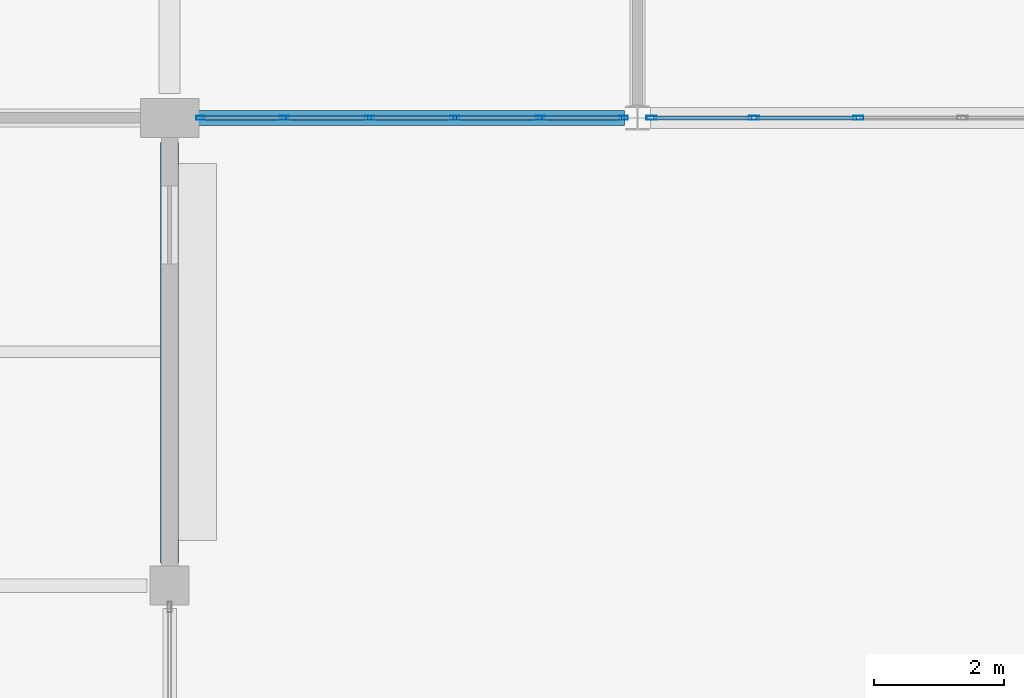
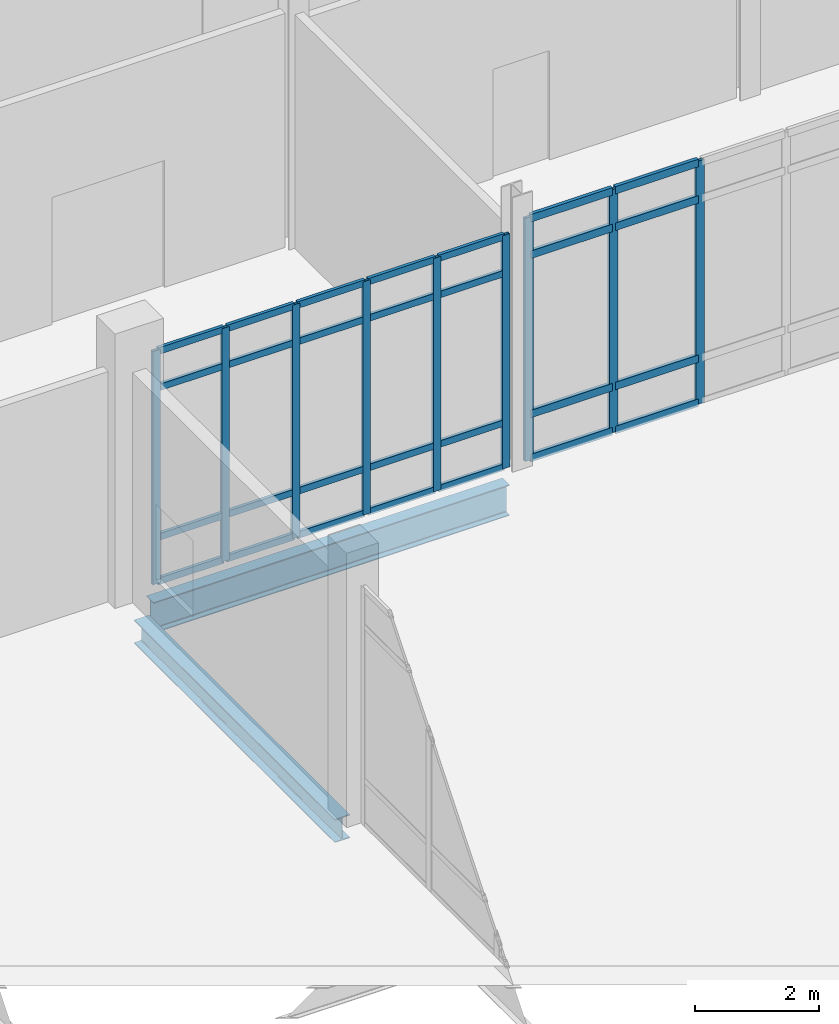
# One storey, part 84 of 229: 37 members, 2 beams, 2 elements without a shape of their own.
"""IFC4 building model written with IfcOpenShell, lengths in metres."""

from ifc_helpers import new_model, si_unit, direction, frame, origin, origin_2d, place, context, subcontext, project, spatial, hollow_rectangle, i_section, extrude, material, layer, layer_set, material_profile, profile_set, type_object, element, aggregate, save


model = new_model("IFC4")

# Units and contexts
model_context = context("Model", 3, precision=1e-05, world=origin(), true_north=direction((0.0, 1.0)))
body_context = subcontext(model_context, "Body", "Model", "MODEL_VIEW")
ifc_project = project(units=[si_unit("LENGTHUNIT", "METRE"), si_unit("AREAUNIT", "SQUARE_METRE"), si_unit("VOLUMEUNIT", "CUBIC_METRE"), si_unit("PLANEANGLEUNIT", "RADIAN"), si_unit("MASSUNIT", "GRAM", prefix="KILO")], contexts=[model_context])

# Site, building, storey
site_placement = place(None, origin())
site = spatial("IfcSite", under=ifc_project, at=site_placement, CompositionType="ELEMENT")
building_placement = place(site_placement, origin())
building = spatial("IfcBuilding", under=site, at=building_placement, Name="Calvrana Isthmian Art Gallery", CompositionType="ELEMENT")
storey_placement = place(building_placement, origin())
storey = spatial("IfcBuildingStorey", under=building, at=storey_placement, Name="L00", CompositionType="ELEMENT", Elevation=0.0)

# Beams
ifc_material_1 = material(Name="Steel ASTM A992 Gr 50", Category="steel")
ifc_material_profile_1 = material_profile(ifc_material_1, i_section(OverallWidth=0.279052734375, OverallDepth=0.4619140625, WebThickness=0.0107421875, FlangeThickness=0.017333984375, FilletRadius=0.02001953125, at=origin_2d()), Name="W18X76")
ifc_profile_set_1 = profile_set([ifc_material_profile_1], Name="Steel ASTM A992 Gr 50")
beam_type_1 = type_object("IfcBeamType", Name="BM-G-W18X76", PredefinedType="BEAM", material=ifc_profile_set_1)
beam_1_placement = place(storey_placement, frame((14.39990234375, 91.550048828125, -0.51611328125), z_axis=(0.0, 1.0, 0.0), x_axis=(-1.0, 0.0, 0.0)))
element("IfcBeam", 1, at=beam_1_placement, inside=storey, type_object=beam_type_1, Name="Girder Y L00 03/M-N", PredefinedType="BEAM", context=body_context, shape_type="SweptSolid", body=[
    extrude(i_section(OverallWidth=0.279052734375, OverallDepth=0.4619140625, WebThickness=0.0107421875, FlangeThickness=0.017333984375, FilletRadius=0.02001953125, at=origin_2d()), origin(), (0.0, 0.0, 1.0), 6.474853515625),
])
ifc_material_profile_2 = material_profile(ifc_material_1, i_section(OverallWidth=0.22802734375, OverallDepth=0.60693359375, WebThickness=0.01123046875, FlangeThickness=0.017333984375, FilletRadius=0.02197265625, at=origin_2d()), Name="W24X76")
ifc_profile_set_2 = profile_set([ifc_material_profile_2], Name="Steel ASTM A992 Gr 50")
beam_type_2 = type_object("IfcBeamType", Name="BM-G-W24X76", PredefinedType="BEAM", material=ifc_profile_set_2)
beam_2_placement = place(storey_placement, frame((14.77490234375, 98.39990234375, -0.58837890625), z_axis=(1.0, 0.0, 0.0), x_axis=(0.0, 1.0, 0.0)))
element("IfcBeam", 2, at=beam_2_placement, inside=storey, type_object=beam_type_2, Name="Girder X L00 03-04/N", PredefinedType="BEAM", context=body_context, shape_type="SweptSolid", body=[
    extrude(i_section(OverallWidth=0.22802734375, OverallDepth=0.60693359375, WebThickness=0.01123046875, FlangeThickness=0.017333984375, FilletRadius=0.02197265625, at=origin_2d()), origin(), (0.0, 0.0, 1.0), 6.627197265625),
])

# Curtain wall, members
ifc_material_2 = material(Name="Anodized bronze aluminium 6063-T6", Category="aluminium")
ifc_layer_1 = layer(ifc_material_2, 0.179931640625, Name="Anodized bronze aluminium 6063-T6")
ifc_layer_set_1 = layer_set([ifc_layer_1], Name="Anodized bronze aluminium 6063-T6")
curtain_wall_type_1 = type_object("IfcCurtainWallType", Name="CW-UNIT-066X46", PredefinedType="USERDEFINED", material=ifc_layer_set_1)
curtain_wall_1_placement = place(storey_placement, origin())
curtain_wall_1 = element("IfcCurtainWall", 3, at=curtain_wall_1_placement, inside=storey, type_object=curtain_wall_type_1, Name="Curtain wall CW-036", ObjectType="UNITISED CURTAIN WALL", PredefinedType="USERDEFINED")
ifc_material_profile_3 = material_profile(ifc_material_2, hollow_rectangle(XDim=0.06005859375, YDim=0.139892578125, WallThickness=0.00390625, at=origin_2d()), Name="CWM60X140")
ifc_profile_set_3 = profile_set([ifc_material_profile_3], Name="Anodized bronze aluminium 6063-T6")
member_type_1 = type_object("IfcMemberType", Name="CWM-CWM60X140", PredefinedType="MULLION", material=ifc_profile_set_3)
member_1_placement = place(storey_placement, frame((21.383544921875, 98.39990234375, 0.0), z_axis=(0.0, 0.0, 1.0), x_axis=(0.0, -1.0, 0.0)))
member_1 = element("IfcMember", 4, at=member_1_placement, type_object=member_type_1, Name="CW-036 mullion 1", PredefinedType="MULLION", context=body_context, shape_type="SweptSolid", body=[
    extrude(hollow_rectangle(XDim=0.06005859375, YDim=0.139892578125, WallThickness=0.00390625, at=origin_2d()), origin(), (0.0, 0.0, 1.0), 4.591064453125),
])
member_2_placement = place(storey_placement, frame((20.100830078125, 98.39990234375, 0.0), z_axis=(0.0, 0.0, 1.0), x_axis=(0.0, -1.0, 0.0)))
member_2 = element("IfcMember", 5, at=member_2_placement, type_object=member_type_1, Name="CW-036 mullion 2", PredefinedType="MULLION", context=body_context, shape_type="SweptSolid", body=[
    extrude(hollow_rectangle(XDim=0.06005859375, YDim=0.139892578125, WallThickness=0.00390625, at=origin_2d()), origin(), (0.0, 0.0, 1.0), 4.591064453125),
])
member_3_placement = place(storey_placement, frame((18.7880859375, 98.39990234375, 0.0), z_axis=(0.0, 0.0, 1.0), x_axis=(0.0, -1.0, 0.0)))
member_3 = element("IfcMember", 6, at=member_3_placement, type_object=member_type_1, Name="CW-036 mullion 3", PredefinedType="MULLION", context=body_context, shape_type="SweptSolid", body=[
    extrude(hollow_rectangle(XDim=0.06005859375, YDim=0.139892578125, WallThickness=0.00390625, at=origin_2d()), origin(), (0.0, 0.0, 1.0), 4.591064453125),
])
member_4_placement = place(storey_placement, frame((17.475341796875, 98.39990234375, 0.0), z_axis=(0.0, 0.0, 1.0), x_axis=(0.0, -1.0, 0.0)))
member_4 = element("IfcMember", 7, at=member_4_placement, type_object=member_type_1, Name="CW-036 mullion 4", PredefinedType="MULLION", context=body_context, shape_type="SweptSolid", body=[
    extrude(hollow_rectangle(XDim=0.06005859375, YDim=0.139892578125, WallThickness=0.00390625, at=origin_2d()), origin(), (0.0, 0.0, 1.0), 4.591064453125),
])
member_5_placement = place(storey_placement, frame((16.16259765625, 98.39990234375, 0.0), z_axis=(0.0, 0.0, 1.0), x_axis=(0.0, -1.0, 0.0)))
member_5 = element("IfcMember", 8, at=member_5_placement, type_object=member_type_1, Name="CW-036 mullion 5", PredefinedType="MULLION", context=body_context, shape_type="SweptSolid", body=[
    extrude(hollow_rectangle(XDim=0.06005859375, YDim=0.139892578125, WallThickness=0.00390625, at=origin_2d()), origin(), (0.0, 0.0, 1.0), 4.591064453125),
])
member_6_placement = place(storey_placement, frame((14.8798828125, 98.39990234375, 0.0), z_axis=(0.0, 0.0, 1.0), x_axis=(0.0, -1.0, 0.0)))
member_6 = element("IfcMember", 9, at=member_6_placement, type_object=member_type_1, Name="CW-036 mullion 6", PredefinedType="MULLION", context=body_context, shape_type="SweptSolid", body=[
    extrude(hollow_rectangle(XDim=0.06005859375, YDim=0.139892578125, WallThickness=0.00390625, at=origin_2d()), origin(), (0.0, 0.0, 1.0), 4.591064453125),
])

ifc_layer_2 = layer(ifc_material_2, 0.179931640625, Name="Anodized bronze aluminium 6063-T6")
ifc_layer_set_2 = layer_set([ifc_layer_2], Name="Anodized bronze aluminium 6063-T6")
curtain_wall_type_2 = type_object("IfcCurtainWallType", Name="CW-UNIT-080X48", PredefinedType="USERDEFINED", material=ifc_layer_set_2)
curtain_wall_2_placement = place(storey_placement, origin())
curtain_wall_2 = element("IfcCurtainWall", 10, at=curtain_wall_2_placement, inside=storey, type_object=curtain_wall_type_2, Name="Curtain wall CW-037", ObjectType="UNITISED CURTAIN WALL", PredefinedType="USERDEFINED")
ifc_material_profile_4 = material_profile(ifc_material_2, hollow_rectangle(XDim=0.06005859375, YDim=0.159912109375, WallThickness=0.00390625, at=origin_2d()), Name="CWM60X160")
ifc_profile_set_4 = profile_set([ifc_material_profile_4], Name="Anodized bronze aluminium 6063-T6")
member_type_2 = type_object("IfcMemberType", Name="CWM-CWM60X160", PredefinedType="MULLION", material=ifc_profile_set_4)
member_7_placement = place(storey_placement, frame((24.997314453125, 98.39990234375, 0.0), z_axis=(0.0, 0.0, 1.0), x_axis=(0.0, -1.0, 0.0)))
member_7 = element("IfcMember", 11, at=member_7_placement, type_object=member_type_2, Name="CW-037 mullion 4", PredefinedType="MULLION", context=body_context, shape_type="SweptSolid", body=[
    extrude(hollow_rectangle(XDim=0.06005859375, YDim=0.159912109375, WallThickness=0.00390625, at=origin_2d()), origin(), (0.0, 0.0, 1.0), 4.783935546875),
])
member_8_placement = place(storey_placement, frame((23.391845703125, 98.39990234375, 0.0), z_axis=(0.0, 0.0, 1.0), x_axis=(0.0, -1.0, 0.0)))
member_8 = element("IfcMember", 12, at=member_8_placement, type_object=member_type_2, Name="CW-037 mullion 5", PredefinedType="MULLION", context=body_context, shape_type="SweptSolid", body=[
    extrude(hollow_rectangle(XDim=0.06005859375, YDim=0.159912109375, WallThickness=0.00390625, at=origin_2d()), origin(), (0.0, 0.0, 1.0), 4.783935546875),
])
member_9_placement = place(storey_placement, frame((21.81640625, 98.39990234375, 0.0), z_axis=(0.0, 0.0, 1.0), x_axis=(0.0, -1.0, 0.0)))
member_9 = element("IfcMember", 13, at=member_9_placement, type_object=member_type_2, Name="CW-037 mullion 6", PredefinedType="MULLION", context=body_context, shape_type="SweptSolid", body=[
    extrude(hollow_rectangle(XDim=0.06005859375, YDim=0.159912109375, WallThickness=0.00390625, at=origin_2d()), origin(), (0.0, 0.0, 1.0), 4.783935546875),
])

# Member
ifc_material_profile_5 = material_profile(ifc_material_2, hollow_rectangle(XDim=0.06005859375, YDim=0.1298828125, WallThickness=0.00390625, at=origin_2d()), Name="CWT60X130")
ifc_profile_set_5 = profile_set([ifc_material_profile_5], Name="Anodized bronze aluminium 6063-T6")
member_type_3 = type_object("IfcMemberType", Name="CWT-CWT60X130", PredefinedType="USERDEFINED", material=ifc_profile_set_5)
member_10_placement = place(storey_placement, frame((21.353515625, 98.39990234375, 0.030029296875), z_axis=(-1.0, 0.0, 0.0), x_axis=(0.0, -1.0, 0.0)))
member_10 = element("IfcMember", 14, at=member_10_placement, type_object=member_type_3, Name="CW-036 transom 1.1", ObjectType="TRANSOM", PredefinedType="USERDEFINED", context=body_context, shape_type="SweptSolid", body=[
    extrude(hollow_rectangle(XDim=0.06005859375, YDim=0.1298828125, WallThickness=0.00390625, at=origin_2d()), origin(), (0.0, 0.0, 1.0), 1.22265625),
])

member_11_placement = place(storey_placement, frame((21.353515625, 98.39990234375, 0.89990234375), z_axis=(-1.0, 0.0, 0.0), x_axis=(0.0, -1.0, 0.0)))
member_11 = element("IfcMember", 15, at=member_11_placement, type_object=member_type_3, Name="CW-036 transom 1.2", ObjectType="TRANSOM", PredefinedType="USERDEFINED", context=body_context, shape_type="SweptSolid", body=[
    extrude(hollow_rectangle(XDim=0.06005859375, YDim=0.1298828125, WallThickness=0.00390625, at=origin_2d()), origin(), (0.0, 0.0, 1.0), 1.22265625),
])

member_12_placement = place(storey_placement, frame((21.353515625, 98.39990234375, 3.841064453125), z_axis=(-1.0, 0.0, 0.0), x_axis=(0.0, -1.0, 0.0)))
member_12 = element("IfcMember", 16, at=member_12_placement, type_object=member_type_3, Name="CW-036 transom 1.3", ObjectType="TRANSOM", PredefinedType="USERDEFINED", context=body_context, shape_type="SweptSolid", body=[
    extrude(hollow_rectangle(XDim=0.06005859375, YDim=0.1298828125, WallThickness=0.00390625, at=origin_2d()), origin(), (0.0, 0.0, 1.0), 1.22265625),
])

member_13_placement = place(storey_placement, frame((21.353515625, 98.39990234375, 4.56103515625), z_axis=(-1.0, 0.0, 0.0), x_axis=(0.0, -1.0, 0.0)))
member_13 = element("IfcMember", 17, at=member_13_placement, type_object=member_type_3, Name="CW-036 transom 1.4", ObjectType="TRANSOM", PredefinedType="USERDEFINED", context=body_context, shape_type="SweptSolid", body=[
    extrude(hollow_rectangle(XDim=0.06005859375, YDim=0.1298828125, WallThickness=0.00390625, at=origin_2d()), origin(), (0.0, 0.0, 1.0), 1.22265625),
])

member_14_placement = place(storey_placement, frame((20.07080078125, 98.39990234375, 0.030029296875), z_axis=(-1.0, 0.0, 0.0), x_axis=(0.0, -1.0, 0.0)))
member_14 = element("IfcMember", 18, at=member_14_placement, type_object=member_type_3, Name="CW-036 transom 2.1", ObjectType="TRANSOM", PredefinedType="USERDEFINED", context=body_context, shape_type="SweptSolid", body=[
    extrude(hollow_rectangle(XDim=0.06005859375, YDim=0.1298828125, WallThickness=0.00390625, at=origin_2d()), origin(), (0.0, 0.0, 1.0), 1.252685546875),
])

member_15_placement = place(storey_placement, frame((20.07080078125, 98.39990234375, 0.89990234375), z_axis=(-1.0, 0.0, 0.0), x_axis=(0.0, -1.0, 0.0)))
member_15 = element("IfcMember", 19, at=member_15_placement, type_object=member_type_3, Name="CW-036 transom 2.2", ObjectType="TRANSOM", PredefinedType="USERDEFINED", context=body_context, shape_type="SweptSolid", body=[
    extrude(hollow_rectangle(XDim=0.06005859375, YDim=0.1298828125, WallThickness=0.00390625, at=origin_2d()), origin(), (0.0, 0.0, 1.0), 1.252685546875),
])

member_16_placement = place(storey_placement, frame((20.07080078125, 98.39990234375, 3.841064453125), z_axis=(-1.0, 0.0, 0.0), x_axis=(0.0, -1.0, 0.0)))
member_16 = element("IfcMember", 20, at=member_16_placement, type_object=member_type_3, Name="CW-036 transom 2.3", ObjectType="TRANSOM", PredefinedType="USERDEFINED", context=body_context, shape_type="SweptSolid", body=[
    extrude(hollow_rectangle(XDim=0.06005859375, YDim=0.1298828125, WallThickness=0.00390625, at=origin_2d()), origin(), (0.0, 0.0, 1.0), 1.252685546875),
])

member_17_placement = place(storey_placement, frame((20.07080078125, 98.39990234375, 4.56103515625), z_axis=(-1.0, 0.0, 0.0), x_axis=(0.0, -1.0, 0.0)))
member_17 = element("IfcMember", 21, at=member_17_placement, type_object=member_type_3, Name="CW-036 transom 2.4", ObjectType="TRANSOM", PredefinedType="USERDEFINED", context=body_context, shape_type="SweptSolid", body=[
    extrude(hollow_rectangle(XDim=0.06005859375, YDim=0.1298828125, WallThickness=0.00390625, at=origin_2d()), origin(), (0.0, 0.0, 1.0), 1.252685546875),
])

member_18_placement = place(storey_placement, frame((18.758056640625, 98.39990234375, 0.030029296875), z_axis=(-1.0, 0.0, 0.0), x_axis=(0.0, -1.0, 0.0)))
member_18 = element("IfcMember", 22, at=member_18_placement, type_object=member_type_3, Name="CW-036 transom 3.1", ObjectType="TRANSOM", PredefinedType="USERDEFINED", context=body_context, shape_type="SweptSolid", body=[
    extrude(hollow_rectangle(XDim=0.06005859375, YDim=0.1298828125, WallThickness=0.00390625, at=origin_2d()), origin(), (0.0, 0.0, 1.0), 1.252685546875),
])

member_19_placement = place(storey_placement, frame((18.758056640625, 98.39990234375, 0.89990234375), z_axis=(-1.0, 0.0, 0.0), x_axis=(0.0, -1.0, 0.0)))
member_19 = element("IfcMember", 23, at=member_19_placement, type_object=member_type_3, Name="CW-036 transom 3.2", ObjectType="TRANSOM", PredefinedType="USERDEFINED", context=body_context, shape_type="SweptSolid", body=[
    extrude(hollow_rectangle(XDim=0.06005859375, YDim=0.1298828125, WallThickness=0.00390625, at=origin_2d()), origin(), (0.0, 0.0, 1.0), 1.252685546875),
])

member_20_placement = place(storey_placement, frame((18.758056640625, 98.39990234375, 3.841064453125), z_axis=(-1.0, 0.0, 0.0), x_axis=(0.0, -1.0, 0.0)))
member_20 = element("IfcMember", 24, at=member_20_placement, type_object=member_type_3, Name="CW-036 transom 3.3", ObjectType="TRANSOM", PredefinedType="USERDEFINED", context=body_context, shape_type="SweptSolid", body=[
    extrude(hollow_rectangle(XDim=0.06005859375, YDim=0.1298828125, WallThickness=0.00390625, at=origin_2d()), origin(), (0.0, 0.0, 1.0), 1.252685546875),
])

member_21_placement = place(storey_placement, frame((18.758056640625, 98.39990234375, 4.56103515625), z_axis=(-1.0, 0.0, 0.0), x_axis=(0.0, -1.0, 0.0)))
member_21 = element("IfcMember", 25, at=member_21_placement, type_object=member_type_3, Name="CW-036 transom 3.4", ObjectType="TRANSOM", PredefinedType="USERDEFINED", context=body_context, shape_type="SweptSolid", body=[
    extrude(hollow_rectangle(XDim=0.06005859375, YDim=0.1298828125, WallThickness=0.00390625, at=origin_2d()), origin(), (0.0, 0.0, 1.0), 1.252685546875),
])

member_22_placement = place(storey_placement, frame((17.4453125, 98.39990234375, 0.030029296875), z_axis=(-1.0, 0.0, 0.0), x_axis=(0.0, -1.0, 0.0)))
member_22 = element("IfcMember", 26, at=member_22_placement, type_object=member_type_3, Name="CW-036 transom 4.1", ObjectType="TRANSOM", PredefinedType="USERDEFINED", context=body_context, shape_type="SweptSolid", body=[
    extrude(hollow_rectangle(XDim=0.06005859375, YDim=0.1298828125, WallThickness=0.00390625, at=origin_2d()), origin(), (0.0, 0.0, 1.0), 1.252685546875),
])

member_23_placement = place(storey_placement, frame((17.4453125, 98.39990234375, 0.89990234375), z_axis=(-1.0, 0.0, 0.0), x_axis=(0.0, -1.0, 0.0)))
member_23 = element("IfcMember", 27, at=member_23_placement, type_object=member_type_3, Name="CW-036 transom 4.2", ObjectType="TRANSOM", PredefinedType="USERDEFINED", context=body_context, shape_type="SweptSolid", body=[
    extrude(hollow_rectangle(XDim=0.06005859375, YDim=0.1298828125, WallThickness=0.00390625, at=origin_2d()), origin(), (0.0, 0.0, 1.0), 1.252685546875),
])

member_24_placement = place(storey_placement, frame((17.4453125, 98.39990234375, 3.841064453125), z_axis=(-1.0, 0.0, 0.0), x_axis=(0.0, -1.0, 0.0)))
member_24 = element("IfcMember", 28, at=member_24_placement, type_object=member_type_3, Name="CW-036 transom 4.3", ObjectType="TRANSOM", PredefinedType="USERDEFINED", context=body_context, shape_type="SweptSolid", body=[
    extrude(hollow_rectangle(XDim=0.06005859375, YDim=0.1298828125, WallThickness=0.00390625, at=origin_2d()), origin(), (0.0, 0.0, 1.0), 1.252685546875),
])

member_25_placement = place(storey_placement, frame((17.4453125, 98.39990234375, 4.56103515625), z_axis=(-1.0, 0.0, 0.0), x_axis=(0.0, -1.0, 0.0)))
member_25 = element("IfcMember", 29, at=member_25_placement, type_object=member_type_3, Name="CW-036 transom 4.4", ObjectType="TRANSOM", PredefinedType="USERDEFINED", context=body_context, shape_type="SweptSolid", body=[
    extrude(hollow_rectangle(XDim=0.06005859375, YDim=0.1298828125, WallThickness=0.00390625, at=origin_2d()), origin(), (0.0, 0.0, 1.0), 1.252685546875),
])

member_26_placement = place(storey_placement, frame((16.1328125, 98.39990234375, 0.030029296875), z_axis=(-1.0, 0.0, 0.0), x_axis=(0.0, -1.0, 0.0)))
member_26 = element("IfcMember", 30, at=member_26_placement, type_object=member_type_3, Name="CW-036 transom 5.1", ObjectType="TRANSOM", PredefinedType="USERDEFINED", context=body_context, shape_type="SweptSolid", body=[
    extrude(hollow_rectangle(XDim=0.06005859375, YDim=0.1298828125, WallThickness=0.00390625, at=origin_2d()), origin(), (0.0, 0.0, 1.0), 1.222900390625),
])

member_27_placement = place(storey_placement, frame((16.1328125, 98.39990234375, 0.89990234375), z_axis=(-1.0, 0.0, 0.0), x_axis=(0.0, -1.0, 0.0)))
member_27 = element("IfcMember", 31, at=member_27_placement, type_object=member_type_3, Name="CW-036 transom 5.2", ObjectType="TRANSOM", PredefinedType="USERDEFINED", context=body_context, shape_type="SweptSolid", body=[
    extrude(hollow_rectangle(XDim=0.06005859375, YDim=0.1298828125, WallThickness=0.00390625, at=origin_2d()), origin(), (0.0, 0.0, 1.0), 1.222900390625),
])

member_28_placement = place(storey_placement, frame((16.1328125, 98.39990234375, 3.841064453125), z_axis=(-1.0, 0.0, 0.0), x_axis=(0.0, -1.0, 0.0)))
member_28 = element("IfcMember", 32, at=member_28_placement, type_object=member_type_3, Name="CW-036 transom 5.3", ObjectType="TRANSOM", PredefinedType="USERDEFINED", context=body_context, shape_type="SweptSolid", body=[
    extrude(hollow_rectangle(XDim=0.06005859375, YDim=0.1298828125, WallThickness=0.00390625, at=origin_2d()), origin(), (0.0, 0.0, 1.0), 1.222900390625),
])

member_29_placement = place(storey_placement, frame((16.1328125, 98.39990234375, 4.56103515625), z_axis=(-1.0, 0.0, 0.0), x_axis=(0.0, -1.0, 0.0)))
member_29 = element("IfcMember", 33, at=member_29_placement, type_object=member_type_3, Name="CW-036 transom 5.4", ObjectType="TRANSOM", PredefinedType="USERDEFINED", context=body_context, shape_type="SweptSolid", body=[
    extrude(hollow_rectangle(XDim=0.06005859375, YDim=0.1298828125, WallThickness=0.00390625, at=origin_2d()), origin(), (0.0, 0.0, 1.0), 1.222900390625),
])

aggregate(curtain_wall_1, [member_1, member_2, member_3, member_4, member_5, member_6, member_10, member_11, member_12, member_13, member_14, member_15, member_16, member_17, member_18, member_19, member_20, member_21, member_22, member_23, member_24, member_25, member_26, member_27, member_28, member_29])

ifc_material_profile_6 = material_profile(ifc_material_2, hollow_rectangle(XDim=0.06494140625, YDim=0.14990234375, WallThickness=0.00390625, at=origin_2d()), Name="CWT65X150")
ifc_profile_set_6 = profile_set([ifc_material_profile_6], Name="Anodized bronze aluminium 6063-T6")
member_type_4 = type_object("IfcMemberType", Name="CWT-CWT65X150", PredefinedType="USERDEFINED", material=ifc_profile_set_6)
member_30_placement = place(storey_placement, frame((24.96728515625, 98.39990234375, 0.032470703125), z_axis=(-1.0, 0.0, 0.0), x_axis=(0.0, -1.0, 0.0)))
member_30 = element("IfcMember", 34, at=member_30_placement, type_object=member_type_4, Name="CW-037 transom 4.1", ObjectType="TRANSOM", PredefinedType="USERDEFINED", context=body_context, shape_type="SweptSolid", body=[
    extrude(hollow_rectangle(XDim=0.06494140625, YDim=0.14990234375, WallThickness=0.00390625, at=origin_2d()), origin(), (0.0, 0.0, 1.0), 1.54541015625),
])

member_31_placement = place(storey_placement, frame((24.96728515625, 98.39990234375, 0.89990234375), z_axis=(-1.0, 0.0, 0.0), x_axis=(0.0, -1.0, 0.0)))
member_31 = element("IfcMember", 35, at=member_31_placement, type_object=member_type_4, Name="CW-037 transom 4.2", ObjectType="TRANSOM", PredefinedType="USERDEFINED", context=body_context, shape_type="SweptSolid", body=[
    extrude(hollow_rectangle(XDim=0.06494140625, YDim=0.14990234375, WallThickness=0.00390625, at=origin_2d()), origin(), (0.0, 0.0, 1.0), 1.54541015625),
])

member_32_placement = place(storey_placement, frame((24.96728515625, 98.39990234375, 4.033935546875), z_axis=(-1.0, 0.0, 0.0), x_axis=(0.0, -1.0, 0.0)))
member_32 = element("IfcMember", 36, at=member_32_placement, type_object=member_type_4, Name="CW-037 transom 4.3", ObjectType="TRANSOM", PredefinedType="USERDEFINED", context=body_context, shape_type="SweptSolid", body=[
    extrude(hollow_rectangle(XDim=0.06494140625, YDim=0.14990234375, WallThickness=0.00390625, at=origin_2d()), origin(), (0.0, 0.0, 1.0), 1.54541015625),
])

member_33_placement = place(storey_placement, frame((24.96728515625, 98.39990234375, 4.75146484375), z_axis=(-1.0, 0.0, 0.0), x_axis=(0.0, -1.0, 0.0)))
member_33 = element("IfcMember", 37, at=member_33_placement, type_object=member_type_4, Name="CW-037 transom 4.4", ObjectType="TRANSOM", PredefinedType="USERDEFINED", context=body_context, shape_type="SweptSolid", body=[
    extrude(hollow_rectangle(XDim=0.06494140625, YDim=0.14990234375, WallThickness=0.00390625, at=origin_2d()), origin(), (0.0, 0.0, 1.0), 1.54541015625),
])

member_34_placement = place(storey_placement, frame((23.36181640625, 98.39990234375, 0.032470703125), z_axis=(-1.0, 0.0, 0.0), x_axis=(0.0, -1.0, 0.0)))
member_34 = element("IfcMember", 38, at=member_34_placement, type_object=member_type_4, Name="CW-037 transom 5.1", ObjectType="TRANSOM", PredefinedType="USERDEFINED", context=body_context, shape_type="SweptSolid", body=[
    extrude(hollow_rectangle(XDim=0.06494140625, YDim=0.14990234375, WallThickness=0.00390625, at=origin_2d()), origin(), (0.0, 0.0, 1.0), 1.515380859375),
])

member_35_placement = place(storey_placement, frame((23.36181640625, 98.39990234375, 0.89990234375), z_axis=(-1.0, 0.0, 0.0), x_axis=(0.0, -1.0, 0.0)))
member_35 = element("IfcMember", 39, at=member_35_placement, type_object=member_type_4, Name="CW-037 transom 5.2", ObjectType="TRANSOM", PredefinedType="USERDEFINED", context=body_context, shape_type="SweptSolid", body=[
    extrude(hollow_rectangle(XDim=0.06494140625, YDim=0.14990234375, WallThickness=0.00390625, at=origin_2d()), origin(), (0.0, 0.0, 1.0), 1.515380859375),
])

member_36_placement = place(storey_placement, frame((23.36181640625, 98.39990234375, 4.033935546875), z_axis=(-1.0, 0.0, 0.0), x_axis=(0.0, -1.0, 0.0)))
member_36 = element("IfcMember", 40, at=member_36_placement, type_object=member_type_4, Name="CW-037 transom 5.3", ObjectType="TRANSOM", PredefinedType="USERDEFINED", context=body_context, shape_type="SweptSolid", body=[
    extrude(hollow_rectangle(XDim=0.06494140625, YDim=0.14990234375, WallThickness=0.00390625, at=origin_2d()), origin(), (0.0, 0.0, 1.0), 1.515380859375),
])

member_37_placement = place(storey_placement, frame((23.36181640625, 98.39990234375, 4.75146484375), z_axis=(-1.0, 0.0, 0.0), x_axis=(0.0, -1.0, 0.0)))
member_37 = element("IfcMember", 41, at=member_37_placement, type_object=member_type_4, Name="CW-037 transom 5.4", ObjectType="TRANSOM", PredefinedType="USERDEFINED", context=body_context, shape_type="SweptSolid", body=[
    extrude(hollow_rectangle(XDim=0.06494140625, YDim=0.14990234375, WallThickness=0.00390625, at=origin_2d()), origin(), (0.0, 0.0, 1.0), 1.515380859375),
])

aggregate(curtain_wall_2, [member_7, member_8, member_9, member_30, member_31, member_32, member_33, member_34, member_35, member_36, member_37])

save(model, "model.ifc")
